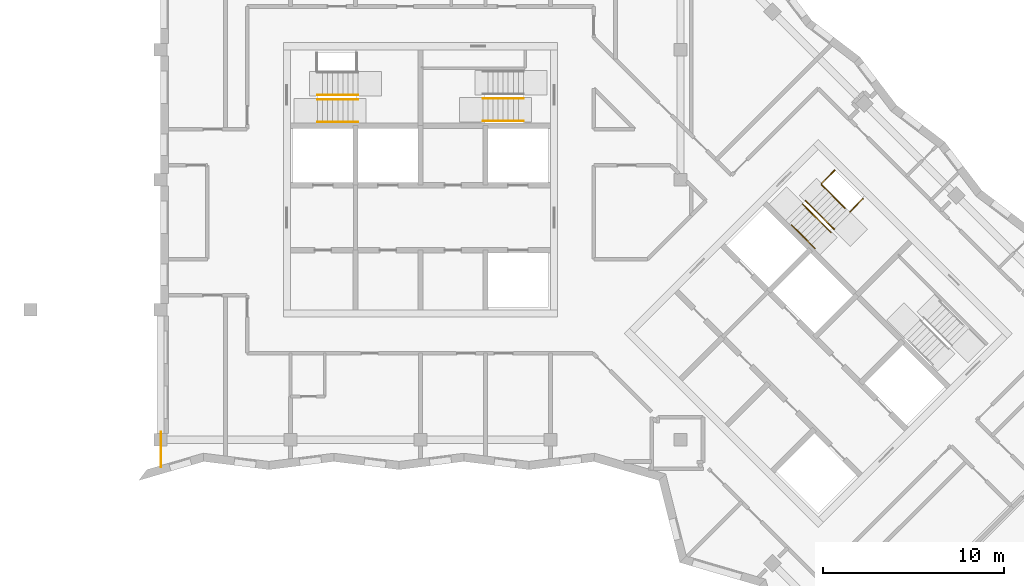
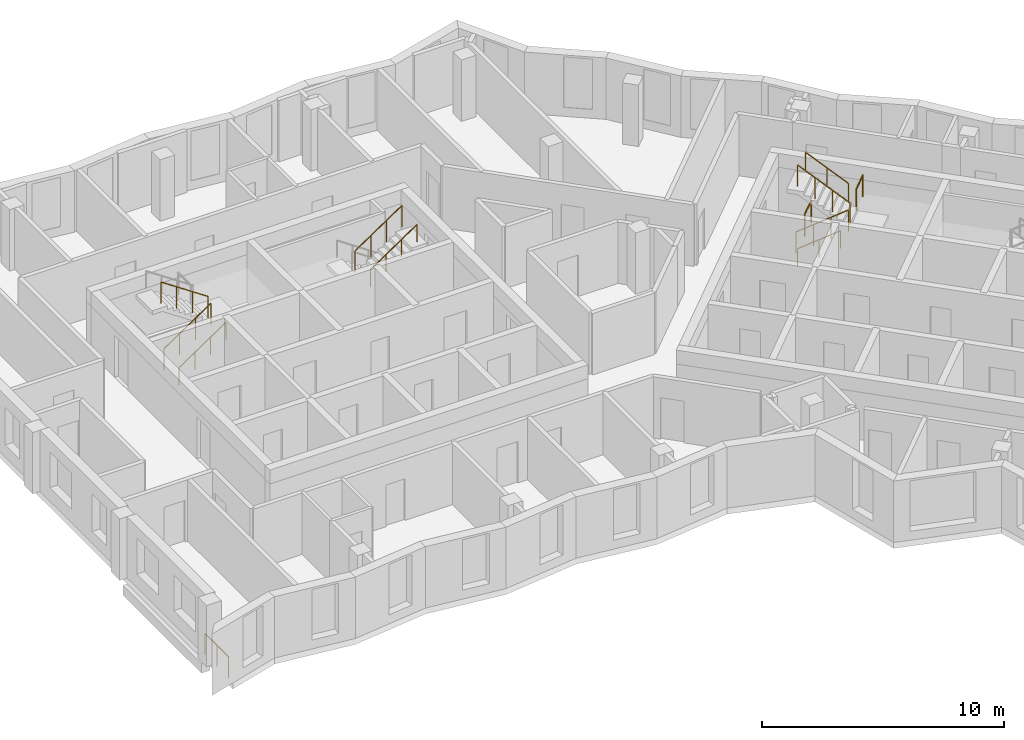
# One storey, part 9 of 12: 12 railings.
"""IFC4 building model written with IfcOpenShell, lengths in metres."""

import ifcopenshell
import ifcopenshell.guid

model = None  # the IFC model being written
_history = None  # IfcOwnerHistory: only IFC2X3 demands one
_inside = {}  # id of a spatial element -> (the spatial element, [elements in it])
_under = {}  # id of a project, library or spatial element -> (it, [spatial elements below it])
_declared = {}  # id of a project -> (the project, [libraries it declares])
_typed = {}  # id of a type object -> (the type object, [elements of that type])
_made_of = {}  # id of a material, layer set ... -> (it, [elements and type objects made of it])


def new_model(schema):
    """Start an empty IFC model of exactly this schema.

    Asked for "IFC4X3", IfcOpenShell would pick the latest addendum, in which some entities
    have other attributes; the version numbers below select the first issue.
    IFC2X3 requires an IfcOwnerHistory on every rooted entity: one is made here for all.
    """
    global model, _history
    if schema == "IFC4X3":
        model = ifcopenshell.file(schema_version=(4, 3, 0, 0))
    else:
        model = ifcopenshell.file(schema=schema)
    _inside.clear()
    _under.clear()
    _declared.clear()
    _typed.clear()
    _made_of.clear()
    _history = None
    if model.schema == "IFC2X3":
        org = make("IfcOrganization", Name="unknown")
        user = make(
            "IfcPersonAndOrganization",
            ThePerson=make("IfcPerson", FamilyName="unknown"),
            TheOrganization=org,
        )
        app = make(
            "IfcApplication",
            ApplicationDeveloper=org,
            Version="unknown",
            ApplicationFullName="unknown",
            ApplicationIdentifier="unknown",
        )
        _history = make(
            "IfcOwnerHistory",
            OwningUser=user,
            OwningApplication=app,
            ChangeAction="ADDED",
            CreationDate=0,
        )
    return model


def make(cls, **values):
    """One entity of the class cls with the attributes given. An attribute that is None is left unset."""
    return model.create_entity(
        cls, **{name: value for name, value in values.items() if value is not None}
    )


def rooted(cls, **values):
    """An entity with a GlobalId (a new one), such as an element, a storey or a relation."""
    return make(cls, GlobalId=ifcopenshell.guid.new(), OwnerHistory=_history, **values)


def si_unit(unit_type, name, prefix=None):
    """IfcSIUnit, for example si_unit("LENGTHUNIT", "METRE", prefix="MILLI")."""
    return make("IfcSIUnit", UnitType=unit_type, Prefix=prefix, Name=name)


def assignment(units):
    """IfcUnitAssignment: the units of a project."""
    return None if units is None else make("IfcUnitAssignment", Units=units)


def point(xyz):
    """IfcCartesianPoint."""
    return None if xyz is None else make("IfcCartesianPoint", Coordinates=xyz)


def direction(xyz):
    """IfcDirection."""
    return None if xyz is None else make("IfcDirection", DirectionRatios=xyz)


def frame(location, z_axis=None, x_axis=None):
    """IfcAxis2Placement3D, a coordinate frame: its origin and axes. An axis left out is left unset."""
    return make(
        "IfcAxis2Placement3D",
        Location=point(location),
        Axis=direction(z_axis),
        RefDirection=direction(x_axis),
    )


def frame_2d(location, x_axis=None):
    """IfcAxis2Placement2D, a coordinate frame in the plane: its origin and x axis."""
    return make(
        "IfcAxis2Placement2D", Location=point(location), RefDirection=direction(x_axis)
    )


def origin():
    """The frame at (0, 0, 0) with its axes left unset."""
    return frame((0.0, 0.0, 0.0))


def origin_2d():
    """The frame at (0, 0) in the plane with its x axis left unset."""
    return frame_2d((0.0, 0.0))


def place(relative_to, where):
    """IfcLocalPlacement: puts the frame where relative to a parent placement (None: the world)."""
    return make(
        "IfcLocalPlacement", PlacementRelTo=relative_to, RelativePlacement=where
    )


def context(
    kind, dimensions, precision=None, world=None, true_north=None, identifier=None
):
    """IfcGeometricRepresentationContext, for example the 3D "Model" context."""
    return make(
        "IfcGeometricRepresentationContext",
        ContextIdentifier=identifier,
        ContextType=kind,
        CoordinateSpaceDimension=dimensions,
        Precision=precision,
        WorldCoordinateSystem=world,
        TrueNorth=true_north,
    )


def subcontext(parent, identifier, kind, view, scale=None):
    """IfcGeometricRepresentationSubContext, for example "Body" below "Model"."""
    return make(
        "IfcGeometricRepresentationSubContext",
        ContextIdentifier=identifier,
        ContextType=kind,
        ParentContext=parent,
        TargetScale=scale,
        TargetView=view,
    )


def project(units=None, contexts=None):
    """IfcProject with its units and contexts."""
    return rooted(
        "IfcProject",
        Name="project",
        RepresentationContexts=contexts,
        UnitsInContext=assignment(units),
    )


def spatial(cls, under=None, at=None, **own):
    """A site, building, storey or space (cls), placed at a placement, below another one or the project."""
    s = rooted(cls, ObjectPlacement=at, **own)
    if under is not None:
        _under.setdefault(under.id(), (under, []))[1].append(s)
    return s


def profile(cls, at=None, kind="AREA", **sizes):
    """A parametric profile (cls). Its sizes go by their IFC names, for example OverallWidth=200.0."""
    return make(cls, ProfileType=kind, Position=at, **sizes)


def circle(**sizes):
    """IfcCircleProfileDef."""
    return profile("IfcCircleProfileDef", **sizes)


def extrude(swept, where, along, depth):
    """IfcExtrudedAreaSolid: the profile swept, set in the frame where, extruded along a direction by depth."""
    return make(
        "IfcExtrudedAreaSolid",
        SweptArea=swept,
        Position=where,
        ExtrudedDirection=direction(along),
        Depth=depth,
    )


def shape(context_of_items, identifier, shape_type, items):
    """IfcShapeRepresentation: the items that make up one representation, for example the "Body"."""
    return make(
        "IfcShapeRepresentation",
        ContextOfItems=context_of_items,
        RepresentationIdentifier=identifier,
        RepresentationType=shape_type,
        Items=items,
    )


def material(Name=None, Category=None):
    """IfcMaterial."""
    return make("IfcMaterial", Name=Name, Category=Category)


def made_of(thing, what):
    """Note that an element or type object is made of a material, layer set ...; save() writes the relation."""
    if what is not None:
        _made_of.setdefault(what.id(), (what, []))[1].append(thing)
    return thing


def type_object(cls, material=None, **own):
    """A type object (cls), such as IfcWallType, which elements share."""
    return made_of(rooted(cls, **own), material)


def element(
    cls,
    number,
    at=None,
    inside=None,
    cuts=None,
    type_object=None,
    material=None,
    context=None,
    identifier="Body",
    shape_type=None,
    held_by="IfcProductDefinitionShape",
    body=None,
    shapes=None,
    **own,
):
    """One element of the class cls, such as IfcWall. Its Tag is "e" and its number.

    at: its placement. inside: the storey or other place that contains it. cuts: it is an
    opening in that element (IfcRelVoidsElement). A single representation is given by context,
    identifier, shape_type and body (its items); several are given by shapes. held_by: the class
    of the entity that holds the representations. save() writes the other relations.
    """
    e = rooted(cls, Tag="e%d" % number, ObjectPlacement=at, **own)
    if body is not None:
        shapes = [shape(context, identifier, shape_type, body)]
    if shapes is not None:
        e.Representation = make(held_by, Representations=shapes)
    if inside is not None:
        _inside.setdefault(inside.id(), (inside, []))[1].append(e)
    if cuts is not None:
        rooted(
            "IfcRelVoidsElement", RelatingBuildingElement=cuts, RelatedOpeningElement=e
        )
    if type_object is not None:
        _typed.setdefault(type_object.id(), (type_object, []))[1].append(e)
    return made_of(e, material)


def aggregate(whole, parts):
    """IfcRelAggregates: a whole, such as a stair, and the parts it consists of."""
    return rooted("IfcRelAggregates", RelatingObject=whole, RelatedObjects=parts)


def save(model, path):
    """Write the relations noted so far, then the file.

    IfcRelAggregates (storeys below a building ...), IfcRelContainedInSpatialStructure (elements
    in a storey), IfcRelDefinesByType, IfcRelAssociatesMaterial and IfcRelDeclares: one each for
    every whole, place, type object, material and project.
    """
    for whole, parts in _under.values():
        aggregate(whole, parts)
    for where, things in _inside.values():
        rooted(
            "IfcRelContainedInSpatialStructure",
            RelatedElements=things,
            RelatingStructure=where,
        )
    for kind, things in _typed.values():
        rooted("IfcRelDefinesByType", RelatedObjects=things, RelatingType=kind)
    for what, things in _made_of.values():
        rooted("IfcRelAssociatesMaterial", RelatedObjects=things, RelatingMaterial=what)
    for by, libraries in _declared.values():
        rooted("IfcRelDeclares", RelatingContext=by, RelatedDefinitions=libraries)
    model.write(path)


model = new_model("IFC4")

# Units and contexts
model_context = context("Model", 3, precision=1e-05, world=origin(), true_north=direction((0.0, 1.0)))
body_context = subcontext(model_context, "Body", "Model", "MODEL_VIEW")
ifc_project = project(units=[si_unit("LENGTHUNIT", "METRE"), si_unit("AREAUNIT", "SQUARE_METRE"), si_unit("VOLUMEUNIT", "CUBIC_METRE"), si_unit("PLANEANGLEUNIT", "RADIAN"), si_unit("MASSUNIT", "GRAM", prefix="KILO")], contexts=[model_context])

# Site, building, storey
site_placement = place(None, origin())
site = spatial("IfcSite", under=ifc_project, at=site_placement, CompositionType="ELEMENT")
building_placement = place(site_placement, origin())
building = spatial("IfcBuilding", under=site, at=building_placement, Name="Windrow Commons", CompositionType="ELEMENT")
storey_placement = place(building_placement, frame((0.0, 0.0, 260.8)))
storey = spatial("IfcBuildingStorey", under=building, at=storey_placement, Name="L71", CompositionType="ELEMENT", Elevation=260.8)

# Railings
ifc_material_1 = material(Name="Steel S355", Category="steel")
railing_type_1 = type_object("IfcRailingType", Name="Core stair guard 1100", PredefinedType="GUARDRAIL", material=ifc_material_1)
railing_1_placement = place(storey_placement, frame((59.1, 62.05, 0.1889)))
element("IfcRailing", 1, at=railing_1_placement, inside=storey, type_object=railing_type_1, Name="L71 ST-A1 stair guard 1", PredefinedType="GUARDRAIL", context=body_context, shape_type="SweptSolid", body=[
    extrude(circle(Radius=0.024, at=origin_2d()), frame((0.0, 0.0, 1.076), z_axis=(0.8290030985, 0.0, 0.5592440099), x_axis=(0.0, 1.0, 0.0)), (0.0, 0.0, 1.0), 2.702),
    extrude(circle(Radius=0.021, at=origin_2d()), origin(), (0.0, 0.0, 1.0), 1.052),
    extrude(circle(Radius=0.021, at=origin_2d()), frame((0.7467, 0.0, 0.5037)), (0.0, 0.0, 1.0), 1.052),
    extrude(circle(Radius=0.021, at=origin_2d()), frame((1.4933, 0.0, 1.0074)), (0.0, 0.0, 1.0), 1.052),
    extrude(circle(Radius=0.021, at=origin_2d()), frame((2.24, 0.0, 1.5111)), (0.0, 0.0, 1.0), 1.052),
])
railing_2_placement = place(storey_placement, frame((61.34, 62.3, 1.8889)))
element("IfcRailing", 2, at=railing_2_placement, inside=storey, type_object=railing_type_1, Name="L71 ST-A1 stair guard 2", PredefinedType="GUARDRAIL", context=body_context, shape_type="SweptSolid", body=[
    extrude(circle(Radius=0.024, at=origin_2d()), frame((0.0, 0.0, 1.076), z_axis=(-0.8290030985, 0.0, 0.5592440099), x_axis=(0.0, -1.0, 0.0)), (0.0, 0.0, 1.0), 2.702),
    extrude(circle(Radius=0.021, at=origin_2d()), origin(), (0.0, 0.0, 1.0), 1.052),
    extrude(circle(Radius=0.021, at=origin_2d()), frame((-0.7467, 0.0, 0.5037)), (0.0, 0.0, 1.0), 1.052),
    extrude(circle(Radius=0.021, at=origin_2d()), frame((-1.4933, 0.0, 1.0074)), (0.0, 0.0, 1.0), 1.052),
    extrude(circle(Radius=0.021, at=origin_2d()), frame((-2.24, 0.0, 1.5111)), (0.0, 0.0, 1.0), 1.052),
])
railing_3_placement = place(storey_placement, frame((68.26, 62.105, 1.8889)))
element("IfcRailing", 3, at=railing_3_placement, inside=storey, type_object=railing_type_1, Name="L71 ST-A2 stair guard 2", PredefinedType="GUARDRAIL", context=body_context, shape_type="SweptSolid", body=[
    extrude(circle(Radius=0.024, at=origin_2d()), frame((0.0, 0.0, 1.076), z_axis=(0.8290030985, 0.0, 0.5592440099), x_axis=(0.0, 1.0, 0.0)), (0.0, 0.0, 1.0), 2.702),
    extrude(circle(Radius=0.021, at=origin_2d()), origin(), (0.0, 0.0, 1.0), 1.052),
    extrude(circle(Radius=0.021, at=origin_2d()), frame((0.7467, 0.0, 0.5037)), (0.0, 0.0, 1.0), 1.052),
    extrude(circle(Radius=0.021, at=origin_2d()), frame((1.4933, 0.0, 1.0074)), (0.0, 0.0, 1.0), 1.052),
    extrude(circle(Radius=0.021, at=origin_2d()), frame((2.24, 0.0, 1.5111)), (0.0, 0.0, 1.0), 1.052),
])
railing_4_placement = place(storey_placement, frame((85.9529, 56.2669, 0.1889)))
element("IfcRailing", 4, at=railing_4_placement, inside=storey, type_object=railing_type_1, Name="L71 ST-B1 stair guard 1", PredefinedType="GUARDRAIL", context=body_context, shape_type="SweptSolid", body=[
    extrude(circle(Radius=0.024, at=origin_2d()), frame((0.0, 0.0, 1.076), z_axis=(0.5861914914, -0.5861914914, 0.5592486664), x_axis=(0.7071067812, 0.7071067812, 0.0)), (0.0, 0.0, 1.0), 2.702),
    extrude(circle(Radius=0.021, at=origin_2d()), origin(), (0.0, 0.0, 1.0), 1.052),
    extrude(circle(Radius=0.021, at=origin_2d()), frame((0.528, -0.528, 0.5037)), (0.0, 0.0, 1.0), 1.052),
    extrude(circle(Radius=0.021, at=origin_2d()), frame((1.0559, -1.0559, 1.0074)), (0.0, 0.0, 1.0), 1.052),
    extrude(circle(Radius=0.021, at=origin_2d()), frame((1.5839, -1.5839, 1.5111)), (0.0, 0.0, 1.0), 1.052),
])
railing_5_placement = place(storey_placement, frame((87.7136, 54.8597, 1.8889)))
element("IfcRailing", 5, at=railing_5_placement, inside=storey, type_object=railing_type_1, Name="L71 ST-B1 stair guard 2", PredefinedType="GUARDRAIL", context=body_context, shape_type="SweptSolid", body=[
    extrude(circle(Radius=0.024, at=origin_2d()), frame((0.0, 0.0, 1.076), z_axis=(-0.5862030657, 0.5862030657, 0.5592244018), x_axis=(-0.7071067812, -0.7071067812, 0.0)), (0.0, 0.0, 1.0), 2.7021),
    extrude(circle(Radius=0.021, at=origin_2d()), origin(), (0.0, 0.0, 1.0), 1.052),
    extrude(circle(Radius=0.021, at=origin_2d()), frame((-0.528, 0.528, 0.5037)), (0.0, 0.0, 1.0), 1.052),
    extrude(circle(Radius=0.021, at=origin_2d()), frame((-1.056, 1.056, 1.0074)), (0.0, 0.0, 1.0), 1.052),
    extrude(circle(Radius=0.021, at=origin_2d()), frame((-1.584, 1.584, 1.5111)), (0.0, 0.0, 1.0), 1.052),
])
railing_6_placement = place(storey_placement, frame((87.0135, 57.3982, 0.0)))
element("IfcRailing", 6, at=railing_6_placement, inside=storey, type_object=railing_type_1, Name="L71 ST-B1 stair guard 3", PredefinedType="GUARDRAIL", context=body_context, shape_type="SweptSolid", body=[
    extrude(circle(Radius=0.024, at=origin_2d()), frame((0.0, 0.0, 1.076), z_axis=(0.7070582378, 0.7071553212, 0.0), x_axis=(-0.7071553212, 0.7070582378, 0.0)), (0.0, 0.0, 1.0), 1.03),
    extrude(circle(Radius=0.021, at=origin_2d()), origin(), (0.0, 0.0, 1.0), 1.052),
    extrude(circle(Radius=0.021, at=origin_2d()), frame((0.7283, 0.7284, 0.0)), (0.0, 0.0, 1.0), 1.052),
])
railing_7_placement = place(storey_placement, frame((88.5833, 55.8285, 1.7)))
element("IfcRailing", 7, at=railing_7_placement, inside=storey, type_object=railing_type_1, Name="L71 ST-B1 stair guard 4", PredefinedType="GUARDRAIL", context=body_context, shape_type="SweptSolid", body=[
    extrude(circle(Radius=0.024, at=origin_2d()), frame((0.0, 0.0, 1.076), z_axis=(0.7071067812, 0.7071067812, 0.0), x_axis=(-0.7071067812, 0.7071067812, 0.0)), (0.0, 0.0, 1.0), 1.03),
    extrude(circle(Radius=0.021, at=origin_2d()), origin(), (0.0, 0.0, 1.0), 1.052),
    extrude(circle(Radius=0.021, at=origin_2d()), frame((0.7283, 0.7283, 0.0)), (0.0, 0.0, 1.0), 1.052),
])
ifc_material_2 = material(Name="Steel S355", Category="steel")
railing_type_2 = type_object("IfcRailingType", Name="Core stair handrail 900", PredefinedType="HANDRAIL", material=ifc_material_2)
for number, where, name in (
    (8, (59.1, 60.8, 0.1889), "L71 ST-A1 stair handrail 1"),
    (9, (68.26, 60.855, 1.8889), "L71 ST-A2 stair handrail 2"),
):
    element("IfcRailing", number, at=place(storey_placement, frame(where)), inside=storey, type_object=railing_type_2, Name=name, PredefinedType="HANDRAIL", context=body_context, shape_type="SweptSolid", body=[
        extrude(circle(Radius=0.024, at=origin_2d()), frame((0.0, 0.0, 0.876), z_axis=(0.8290030985, 0.0, 0.5592440099), x_axis=(0.0, 1.0, 0.0)), (0.0, 0.0, 1.0), 2.702),
        extrude(circle(Radius=0.021, at=origin_2d()), origin(), (0.0, 0.0, 1.0), 0.852),
        extrude(circle(Radius=0.021, at=origin_2d()), frame((0.7467, 0.0, 0.5037)), (0.0, 0.0, 1.0), 0.852),
        extrude(circle(Radius=0.021, at=origin_2d()), frame((1.4933, 0.0, 1.0074)), (0.0, 0.0, 1.0), 0.852),
        extrude(circle(Radius=0.021, at=origin_2d()), frame((2.24, 0.0, 1.5111)), (0.0, 0.0, 1.0), 0.852),
    ])
railing_8_placement = place(storey_placement, frame((85.3518, 55.1001, 0.4587)))
element("IfcRailing", 10, at=railing_8_placement, inside=storey, type_object=railing_type_2, Name="L71 ST-B1 stair handrail 1", PredefinedType="HANDRAIL", context=body_context, shape_type="SweptSolid", body=[
    extrude(circle(Radius=0.024, at=origin_2d()), frame((0.0, 0.0, 0.876), z_axis=(0.586206706, -0.5861616513, 0.5592639952), x_axis=(0.7070796062, 0.7071339551, 0.0)), (0.0, 0.0, 1.0), 2.2195),
    extrude(circle(Radius=0.021, at=origin_2d()), origin(), (0.0, 0.0, 1.0), 0.852),
    extrude(circle(Radius=0.021, at=origin_2d()), frame((0.6506, -0.6505, 0.6207)), (0.0, 0.0, 1.0), 0.852),
    extrude(circle(Radius=0.021, at=origin_2d()), frame((1.3011, -1.301, 1.2413)), (0.0, 0.0, 1.0), 0.852),
])
railing_9_placement = place(storey_placement, frame((88.3146, 56.0265, 2.1587)))
element("IfcRailing", 11, at=railing_9_placement, inside=storey, type_object=railing_type_2, Name="L71 ST-B1 stair handrail 2", PredefinedType="HANDRAIL", context=body_context, shape_type="SweptSolid", body=[
    extrude(circle(Radius=0.024, at=origin_2d()), frame((0.0, 0.0, 0.876), z_axis=(-0.586206706, 0.5861616513, 0.5592639952), x_axis=(-0.7070796062, -0.7071339551, 0.0)), (0.0, 0.0, 1.0), 2.2195),
    extrude(circle(Radius=0.021, at=origin_2d()), origin(), (0.0, 0.0, 1.0), 0.852),
    extrude(circle(Radius=0.021, at=origin_2d()), frame((-0.6506, 0.6505, 0.6206)), (0.0, 0.0, 1.0), 0.852),
    extrude(circle(Radius=0.021, at=origin_2d()), frame((-1.3011, 1.301, 1.2413)), (0.0, 0.0, 1.0), 0.852),
])
ifc_material_3 = material(Name="Stainless steel S316 balustrade with toughened glass infill", Category="steel")
railing_type_3 = type_object("IfcRailingType", Name="Terrace guard 1100", PredefinedType="BALUSTRADE", material=ifc_material_3)
railing_10_placement = place(storey_placement, frame((50.43, 41.708, 0.0)))
element("IfcRailing", 12, at=railing_10_placement, inside=storey, type_object=railing_type_3, Name="Edge guard L71 1", PredefinedType="BALUSTRADE", context=body_context, shape_type="SweptSolid", body=[
    extrude(circle(Radius=0.025, at=origin_2d()), frame((0.0, 0.0, 1.075), z_axis=(0.0, 1.0, 0.0), x_axis=(-1.0, 0.0, 0.0)), (0.0, 0.0, 1.0), 1.922),
    extrude(circle(Radius=0.02, at=origin_2d()), origin(), (0.0, 0.0, 1.0), 1.05),
    extrude(circle(Radius=0.02, at=origin_2d()), frame((0.0, 0.961, 0.0)), (0.0, 0.0, 1.0), 1.05),
    extrude(circle(Radius=0.02, at=origin_2d()), frame((0.0, 1.922, 0.0)), (0.0, 0.0, 1.0), 1.05),
])

save(model, "model.ifc")
